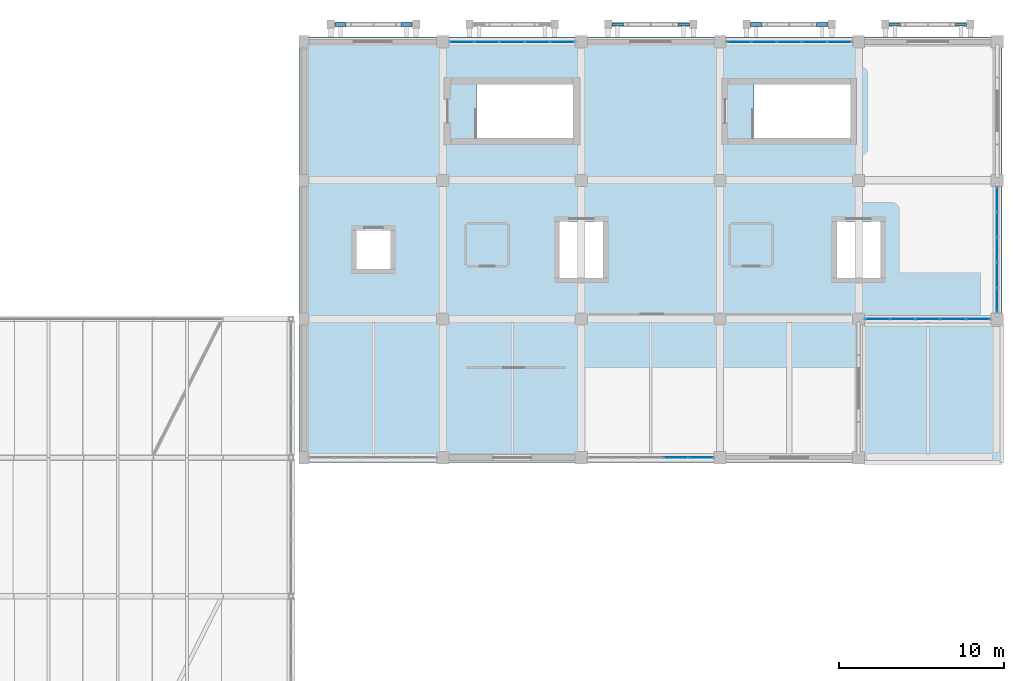
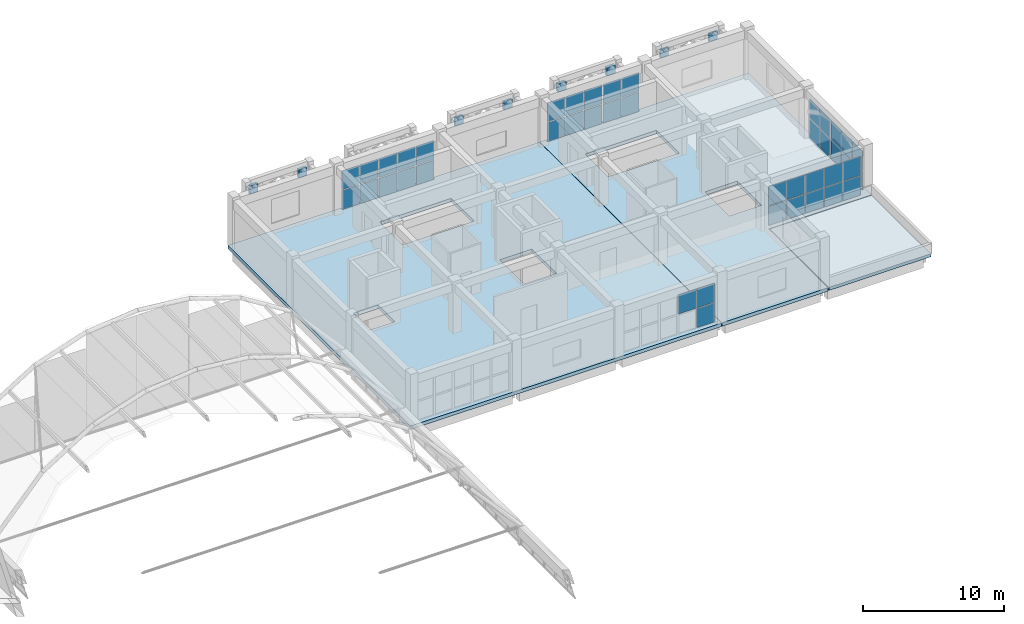
# One storey, part 95 of 114: 51 plates, 3 slabs, 5 elements without a shape of their own.
"""IFC4 building model written with IfcOpenShell, lengths in metres."""

import ifcopenshell
import ifcopenshell.guid

model = None  # the IFC model being written
_history = None  # IfcOwnerHistory: only IFC2X3 demands one
_inside = {}  # id of a spatial element -> (the spatial element, [elements in it])
_under = {}  # id of a project, library or spatial element -> (it, [spatial elements below it])
_declared = {}  # id of a project -> (the project, [libraries it declares])
_typed = {}  # id of a type object -> (the type object, [elements of that type])
_made_of = {}  # id of a material, layer set ... -> (it, [elements and type objects made of it])


def new_model(schema):
    """Start an empty IFC model of exactly this schema.

    Asked for "IFC4X3", IfcOpenShell would pick the latest addendum, in which some entities
    have other attributes; the version numbers below select the first issue.
    IFC2X3 requires an IfcOwnerHistory on every rooted entity: one is made here for all.
    """
    global model, _history
    if schema == "IFC4X3":
        model = ifcopenshell.file(schema_version=(4, 3, 0, 0))
    else:
        model = ifcopenshell.file(schema=schema)
    _inside.clear()
    _under.clear()
    _declared.clear()
    _typed.clear()
    _made_of.clear()
    _history = None
    if model.schema == "IFC2X3":
        org = make("IfcOrganization", Name="unknown")
        user = make(
            "IfcPersonAndOrganization",
            ThePerson=make("IfcPerson", FamilyName="unknown"),
            TheOrganization=org,
        )
        app = make(
            "IfcApplication",
            ApplicationDeveloper=org,
            Version="unknown",
            ApplicationFullName="unknown",
            ApplicationIdentifier="unknown",
        )
        _history = make(
            "IfcOwnerHistory",
            OwningUser=user,
            OwningApplication=app,
            ChangeAction="ADDED",
            CreationDate=0,
        )
    return model


def make(cls, **values):
    """One entity of the class cls with the attributes given. An attribute that is None is left unset."""
    return model.create_entity(
        cls, **{name: value for name, value in values.items() if value is not None}
    )


def rooted(cls, **values):
    """An entity with a GlobalId (a new one), such as an element, a storey or a relation."""
    return make(cls, GlobalId=ifcopenshell.guid.new(), OwnerHistory=_history, **values)


def si_unit(unit_type, name, prefix=None):
    """IfcSIUnit, for example si_unit("LENGTHUNIT", "METRE", prefix="MILLI")."""
    return make("IfcSIUnit", UnitType=unit_type, Prefix=prefix, Name=name)


def assignment(units):
    """IfcUnitAssignment: the units of a project."""
    return None if units is None else make("IfcUnitAssignment", Units=units)


def point(xyz):
    """IfcCartesianPoint."""
    return None if xyz is None else make("IfcCartesianPoint", Coordinates=xyz)


def direction(xyz):
    """IfcDirection."""
    return None if xyz is None else make("IfcDirection", DirectionRatios=xyz)


def frame(location, z_axis=None, x_axis=None):
    """IfcAxis2Placement3D, a coordinate frame: its origin and axes. An axis left out is left unset."""
    return make(
        "IfcAxis2Placement3D",
        Location=point(location),
        Axis=direction(z_axis),
        RefDirection=direction(x_axis),
    )


def frame_2d(location, x_axis=None):
    """IfcAxis2Placement2D, a coordinate frame in the plane: its origin and x axis."""
    return make(
        "IfcAxis2Placement2D", Location=point(location), RefDirection=direction(x_axis)
    )


def origin():
    """The frame at (0, 0, 0) with its axes left unset."""
    return frame((0.0, 0.0, 0.0))


def origin_2d():
    """The frame at (0, 0) in the plane with its x axis left unset."""
    return frame_2d((0.0, 0.0))


def place(relative_to, where):
    """IfcLocalPlacement: puts the frame where relative to a parent placement (None: the world)."""
    return make(
        "IfcLocalPlacement", PlacementRelTo=relative_to, RelativePlacement=where
    )


def context(
    kind, dimensions, precision=None, world=None, true_north=None, identifier=None
):
    """IfcGeometricRepresentationContext, for example the 3D "Model" context."""
    return make(
        "IfcGeometricRepresentationContext",
        ContextIdentifier=identifier,
        ContextType=kind,
        CoordinateSpaceDimension=dimensions,
        Precision=precision,
        WorldCoordinateSystem=world,
        TrueNorth=true_north,
    )


def subcontext(parent, identifier, kind, view, scale=None):
    """IfcGeometricRepresentationSubContext, for example "Body" below "Model"."""
    return make(
        "IfcGeometricRepresentationSubContext",
        ContextIdentifier=identifier,
        ContextType=kind,
        ParentContext=parent,
        TargetScale=scale,
        TargetView=view,
    )


def project(units=None, contexts=None):
    """IfcProject with its units and contexts."""
    return rooted(
        "IfcProject",
        Name="project",
        RepresentationContexts=contexts,
        UnitsInContext=assignment(units),
    )


def spatial(cls, under=None, at=None, **own):
    """A site, building, storey or space (cls), placed at a placement, below another one or the project."""
    s = rooted(cls, ObjectPlacement=at, **own)
    if under is not None:
        _under.setdefault(under.id(), (under, []))[1].append(s)
    return s


def polyline(points):
    """IfcPolyline through the points."""
    return make("IfcPolyline", Points=[point(p) for p in points])


def profile(cls, at=None, kind="AREA", **sizes):
    """A parametric profile (cls). Its sizes go by their IFC names, for example OverallWidth=200.0."""
    return make(cls, ProfileType=kind, Position=at, **sizes)


def rectangle(**sizes):
    """IfcRectangleProfileDef."""
    return profile("IfcRectangleProfileDef", **sizes)


def outline(outer, holes=None, kind="AREA"):
    """IfcArbitraryClosedProfileDef: a profile drawn as a closed curve; with holes, ...WithVoids."""
    if holes is None:
        return make("IfcArbitraryClosedProfileDef", ProfileType=kind, OuterCurve=outer)
    return make(
        "IfcArbitraryProfileDefWithVoids",
        ProfileType=kind,
        OuterCurve=outer,
        InnerCurves=holes,
    )


def extrude(swept, where, along, depth):
    """IfcExtrudedAreaSolid: the profile swept, set in the frame where, extruded along a direction by depth."""
    return make(
        "IfcExtrudedAreaSolid",
        SweptArea=swept,
        Position=where,
        ExtrudedDirection=direction(along),
        Depth=depth,
    )


def shape(context_of_items, identifier, shape_type, items):
    """IfcShapeRepresentation: the items that make up one representation, for example the "Body"."""
    return make(
        "IfcShapeRepresentation",
        ContextOfItems=context_of_items,
        RepresentationIdentifier=identifier,
        RepresentationType=shape_type,
        Items=items,
    )


def material(Name=None, Category=None):
    """IfcMaterial."""
    return make("IfcMaterial", Name=Name, Category=Category)


def layer(
    of_material, thickness, ventilated=None, Name=None, Category=None, Priority=None
):
    """IfcMaterialLayer: one layer of a wall or slab, of a material (None: an air gap)."""
    return make(
        "IfcMaterialLayer",
        Material=of_material,
        LayerThickness=thickness,
        IsVentilated=ventilated,
        Name=Name,
        Category=Category,
        Priority=Priority,
    )


def layer_set(layers, Name=None):
    """IfcMaterialLayerSet."""
    return make("IfcMaterialLayerSet", MaterialLayers=layers, LayerSetName=Name)


def made_of(thing, what):
    """Note that an element or type object is made of a material, layer set ...; save() writes the relation."""
    if what is not None:
        _made_of.setdefault(what.id(), (what, []))[1].append(thing)
    return thing


def type_object(cls, material=None, **own):
    """A type object (cls), such as IfcWallType, which elements share."""
    return made_of(rooted(cls, **own), material)


def element(
    cls,
    number,
    at=None,
    inside=None,
    cuts=None,
    type_object=None,
    material=None,
    context=None,
    identifier="Body",
    shape_type=None,
    held_by="IfcProductDefinitionShape",
    body=None,
    shapes=None,
    **own,
):
    """One element of the class cls, such as IfcWall. Its Tag is "e" and its number.

    at: its placement. inside: the storey or other place that contains it. cuts: it is an
    opening in that element (IfcRelVoidsElement). A single representation is given by context,
    identifier, shape_type and body (its items); several are given by shapes. held_by: the class
    of the entity that holds the representations. save() writes the other relations.
    """
    e = rooted(cls, Tag="e%d" % number, ObjectPlacement=at, **own)
    if body is not None:
        shapes = [shape(context, identifier, shape_type, body)]
    if shapes is not None:
        e.Representation = make(held_by, Representations=shapes)
    if inside is not None:
        _inside.setdefault(inside.id(), (inside, []))[1].append(e)
    if cuts is not None:
        rooted(
            "IfcRelVoidsElement", RelatingBuildingElement=cuts, RelatedOpeningElement=e
        )
    if type_object is not None:
        _typed.setdefault(type_object.id(), (type_object, []))[1].append(e)
    return made_of(e, material)


def aggregate(whole, parts):
    """IfcRelAggregates: a whole, such as a stair, and the parts it consists of."""
    return rooted("IfcRelAggregates", RelatingObject=whole, RelatedObjects=parts)


def save(model, path):
    """Write the relations noted so far, then the file.

    IfcRelAggregates (storeys below a building ...), IfcRelContainedInSpatialStructure (elements
    in a storey), IfcRelDefinesByType, IfcRelAssociatesMaterial and IfcRelDeclares: one each for
    every whole, place, type object, material and project.
    """
    for whole, parts in _under.values():
        aggregate(whole, parts)
    for where, things in _inside.values():
        rooted(
            "IfcRelContainedInSpatialStructure",
            RelatedElements=things,
            RelatingStructure=where,
        )
    for kind, things in _typed.values():
        rooted("IfcRelDefinesByType", RelatedObjects=things, RelatingType=kind)
    for what, things in _made_of.values():
        rooted("IfcRelAssociatesMaterial", RelatedObjects=things, RelatingMaterial=what)
    for by, libraries in _declared.values():
        rooted("IfcRelDeclares", RelatingContext=by, RelatedDefinitions=libraries)
    model.write(path)


model = new_model("IFC4")

# Units and contexts
model_context = context("Model", 3, precision=1e-05, world=origin(), true_north=direction((0.0, 1.0)))
body_context = subcontext(model_context, "Body", "Model", "MODEL_VIEW")
ifc_project = project(units=[si_unit("LENGTHUNIT", "METRE"), si_unit("AREAUNIT", "SQUARE_METRE"), si_unit("VOLUMEUNIT", "CUBIC_METRE"), si_unit("PLANEANGLEUNIT", "RADIAN"), si_unit("MASSUNIT", "GRAM", prefix="KILO")], contexts=[model_context])

# Site, building, storey
site_placement = place(None, origin())
site = spatial("IfcSite", under=ifc_project, at=site_placement, CompositionType="ELEMENT")
building_placement = place(site_placement, origin())
building = spatial("IfcBuilding", under=site, at=building_placement, Name="Xazarin Passage Department Store", CompositionType="ELEMENT")
storey_placement = place(building_placement, frame((0.0, 0.0, 14.39990234375)))
storey = spatial("IfcBuildingStorey", under=building, at=storey_placement, Name="L03", CompositionType="ELEMENT", Elevation=14.39990234375)

# Curtain wall, plates
ifc_material_1 = material(Name="Bronze anodised aluminium", Category="aluminium")
ifc_layer_1 = layer(ifc_material_1, 0.1650390625)
ifc_layer_set_1 = layer_set([ifc_layer_1], Name="Bronze anodised aluminium")
curtain_wall_type = type_object("IfcCurtainWallType", Name="ARC-CW-OFF1", PredefinedType="NOTDEFINED", material=ifc_layer_set_1)
curtain_wall_1_placement = place(storey_placement, origin())
curtain_wall_1 = element("IfcCurtainWall", 1, at=curtain_wall_1_placement, inside=storey, type_object=curtain_wall_type, Name="L03 V4 Curtain Wall 136", PredefinedType="NOTDEFINED")
ifc_material_2 = material(Name="Low-E laminated safety glass", Category="glass")
ifc_layer_2 = layer(ifc_material_2, 0.028076171875)
ifc_layer_set_2 = layer_set([ifc_layer_2], Name="Low-E laminated safety glass")
plate_type_1 = type_object("IfcPlateType", Name="ARC-CWP-GLZ28", PredefinedType="CURTAIN_PANEL", material=ifc_layer_set_2)
plate_1_placement = place(storey_placement, frame((124.929931640625, 84.800048828125, 1.777587890625), z_axis=(0.0, 0.0, 1.0), x_axis=(1.0, 0.0, 0.0)))
plate_1 = element("IfcPlate", 2, at=plate_1_placement, type_object=plate_type_1, Name="CW6 panel 4.2", PredefinedType="CURTAIN_PANEL", context=body_context, shape_type="SweptSolid", body=[
    extrude(rectangle(XDim=1.465087890625, YDim=0.028076171875, at=origin_2d()), origin(), (0.0, 0.0, 1.0), 1.6474609375),
])
plate_2_placement = place(storey_placement, frame((126.44384765625, 84.800048828125, 0.065185546875), z_axis=(0.0, 0.0, 1.0), x_axis=(1.0, 0.0, 0.0)))
plate_2 = element("IfcPlate", 3, at=plate_2_placement, type_object=plate_type_1, Name="CW6 panel 5.1", PredefinedType="CURTAIN_PANEL", context=body_context, shape_type="SweptSolid", body=[
    extrude(rectangle(XDim=1.4326171875, YDim=0.028076171875, at=origin_2d()), origin(), (0.0, 0.0, 1.0), 1.6474609375),
])
plate_3_placement = place(storey_placement, frame((126.44384765625, 84.800048828125, 1.777587890625), z_axis=(0.0, 0.0, 1.0), x_axis=(1.0, 0.0, 0.0)))
plate_3 = element("IfcPlate", 4, at=plate_3_placement, type_object=plate_type_1, Name="CW6 panel 5.2", PredefinedType="CURTAIN_PANEL", context=body_context, shape_type="SweptSolid", body=[
    extrude(rectangle(XDim=1.4326171875, YDim=0.028076171875, at=origin_2d()), origin(), (0.0, 0.0, 1.0), 1.6474609375),
])
aggregate(curtain_wall_1, [plate_1, plate_2, plate_3])

curtain_wall_2_placement = place(storey_placement, origin())
curtain_wall_2 = element("IfcCurtainWall", 5, at=curtain_wall_2_placement, inside=storey, type_object=curtain_wall_type, Name="L03 V4 Curtain Wall 137", PredefinedType="NOTDEFINED")
plate_4_placement = place(storey_placement, frame((137.15625, 93.199951171875, 0.065185546875), z_axis=(0.0, 0.0, 1.0), x_axis=(1.0, 0.0, 0.0)))
plate_4 = element("IfcPlate", 6, at=plate_4_placement, type_object=plate_type_1, Name="CW6 panel 1.1", PredefinedType="CURTAIN_PANEL", context=body_context, shape_type="SweptSolid", body=[
    extrude(rectangle(XDim=1.4326171875, YDim=0.028076171875, at=origin_2d()), origin(), (0.0, 0.0, 1.0), 1.6474609375),
])
plate_5_placement = place(storey_placement, frame((137.15625, 93.199951171875, 1.777587890625), z_axis=(0.0, 0.0, 1.0), x_axis=(1.0, 0.0, 0.0)))
plate_5 = element("IfcPlate", 7, at=plate_5_placement, type_object=plate_type_1, Name="CW6 panel 1.2", PredefinedType="CURTAIN_PANEL", context=body_context, shape_type="SweptSolid", body=[
    extrude(rectangle(XDim=1.4326171875, YDim=0.028076171875, at=origin_2d()), origin(), (0.0, 0.0, 1.0), 1.6474609375),
])
plate_6_placement = place(storey_placement, frame((138.669921875, 93.199951171875, 0.065185546875), z_axis=(0.0, 0.0, 1.0), x_axis=(1.0, 0.0, 0.0)))
plate_6 = element("IfcPlate", 8, at=plate_6_placement, type_object=plate_type_1, Name="CW6 panel 2.1", PredefinedType="CURTAIN_PANEL", context=body_context, shape_type="SweptSolid", body=[
    extrude(rectangle(XDim=1.465087890625, YDim=0.028076171875, at=origin_2d()), origin(), (0.0, 0.0, 1.0), 1.6474609375),
])
plate_7_placement = place(storey_placement, frame((138.669921875, 93.199951171875, 1.777587890625), z_axis=(0.0, 0.0, 1.0), x_axis=(1.0, 0.0, 0.0)))
plate_7 = element("IfcPlate", 9, at=plate_7_placement, type_object=plate_type_1, Name="CW6 panel 2.2", PredefinedType="CURTAIN_PANEL", context=body_context, shape_type="SweptSolid", body=[
    extrude(rectangle(XDim=1.465087890625, YDim=0.028076171875, at=origin_2d()), origin(), (0.0, 0.0, 1.0), 1.6474609375),
])
plate_8_placement = place(storey_placement, frame((140.199951171875, 93.199951171875, 0.065185546875), z_axis=(0.0, 0.0, 1.0), x_axis=(1.0, 0.0, 0.0)))
plate_8 = element("IfcPlate", 10, at=plate_8_placement, type_object=plate_type_1, Name="CW6 panel 3.1", PredefinedType="CURTAIN_PANEL", context=body_context, shape_type="SweptSolid", body=[
    extrude(rectangle(XDim=1.465087890625, YDim=0.028076171875, at=origin_2d()), origin(), (0.0, 0.0, 1.0), 1.6474609375),
])
plate_9_placement = place(storey_placement, frame((140.199951171875, 93.199951171875, 1.777587890625), z_axis=(0.0, 0.0, 1.0), x_axis=(1.0, 0.0, 0.0)))
plate_9 = element("IfcPlate", 11, at=plate_9_placement, type_object=plate_type_1, Name="CW6 panel 3.2", PredefinedType="CURTAIN_PANEL", context=body_context, shape_type="SweptSolid", body=[
    extrude(rectangle(XDim=1.465087890625, YDim=0.028076171875, at=origin_2d()), origin(), (0.0, 0.0, 1.0), 1.6474609375),
])
plate_10_placement = place(storey_placement, frame((141.72998046875, 93.199951171875, 0.065185546875), z_axis=(0.0, 0.0, 1.0), x_axis=(1.0, 0.0, 0.0)))
plate_10 = element("IfcPlate", 12, at=plate_10_placement, type_object=plate_type_1, Name="CW6 panel 4.1", PredefinedType="CURTAIN_PANEL", context=body_context, shape_type="SweptSolid", body=[
    extrude(rectangle(XDim=1.465087890625, YDim=0.028076171875, at=origin_2d()), origin(), (0.0, 0.0, 1.0), 1.6474609375),
])
plate_11_placement = place(storey_placement, frame((141.72998046875, 93.199951171875, 1.777587890625), z_axis=(0.0, 0.0, 1.0), x_axis=(1.0, 0.0, 0.0)))
plate_11 = element("IfcPlate", 13, at=plate_11_placement, type_object=plate_type_1, Name="CW6 panel 4.2", PredefinedType="CURTAIN_PANEL", context=body_context, shape_type="SweptSolid", body=[
    extrude(rectangle(XDim=1.465087890625, YDim=0.028076171875, at=origin_2d()), origin(), (0.0, 0.0, 1.0), 1.6474609375),
])
plate_12_placement = place(storey_placement, frame((143.24365234375, 93.199951171875, 0.065185546875), z_axis=(0.0, 0.0, 1.0), x_axis=(1.0, 0.0, 0.0)))
plate_12 = element("IfcPlate", 14, at=plate_12_placement, type_object=plate_type_1, Name="CW6 panel 5.1", PredefinedType="CURTAIN_PANEL", context=body_context, shape_type="SweptSolid", body=[
    extrude(rectangle(XDim=1.4326171875, YDim=0.028076171875, at=origin_2d()), origin(), (0.0, 0.0, 1.0), 1.6474609375),
])
plate_13_placement = place(storey_placement, frame((143.24365234375, 93.199951171875, 1.777587890625), z_axis=(0.0, 0.0, 1.0), x_axis=(1.0, 0.0, 0.0)))
plate_13 = element("IfcPlate", 15, at=plate_13_placement, type_object=plate_type_1, Name="CW6 panel 5.2", PredefinedType="CURTAIN_PANEL", context=body_context, shape_type="SweptSolid", body=[
    extrude(rectangle(XDim=1.4326171875, YDim=0.028076171875, at=origin_2d()), origin(), (0.0, 0.0, 1.0), 1.6474609375),
])
aggregate(curtain_wall_2, [plate_4, plate_5, plate_6, plate_7, plate_8, plate_9, plate_10, plate_11, plate_12, plate_13])

curtain_wall_3_placement = place(storey_placement, origin())
curtain_wall_3 = element("IfcCurtainWall", 16, at=curtain_wall_3_placement, inside=storey, type_object=curtain_wall_type, Name="L03 V4 Curtain Wall 138", PredefinedType="NOTDEFINED")
plate_14_placement = place(storey_placement, frame((111.956298828125, 110.0, 0.065185546875), z_axis=(0.0, 0.0, 1.0), x_axis=(1.0, 0.0, 0.0)))
plate_14 = element("IfcPlate", 17, at=plate_14_placement, type_object=plate_type_1, Name="CW6 panel 1.1", PredefinedType="CURTAIN_PANEL", context=body_context, shape_type="SweptSolid", body=[
    extrude(rectangle(XDim=1.4326171875, YDim=0.028076171875, at=origin_2d()), origin(), (0.0, 0.0, 1.0), 1.6474609375),
])
plate_15_placement = place(storey_placement, frame((111.956298828125, 110.0, 1.777587890625), z_axis=(0.0, 0.0, 1.0), x_axis=(1.0, 0.0, 0.0)))
plate_15 = element("IfcPlate", 18, at=plate_15_placement, type_object=plate_type_1, Name="CW6 panel 1.2", PredefinedType="CURTAIN_PANEL", context=body_context, shape_type="SweptSolid", body=[
    extrude(rectangle(XDim=1.4326171875, YDim=0.028076171875, at=origin_2d()), origin(), (0.0, 0.0, 1.0), 1.6474609375),
])
plate_16_placement = place(storey_placement, frame((113.469970703125, 110.0, 0.065185546875), z_axis=(0.0, 0.0, 1.0), x_axis=(1.0, 0.0, 0.0)))
plate_16 = element("IfcPlate", 19, at=plate_16_placement, type_object=plate_type_1, Name="CW6 panel 2.1", PredefinedType="CURTAIN_PANEL", context=body_context, shape_type="SweptSolid", body=[
    extrude(rectangle(XDim=1.465087890625, YDim=0.028076171875, at=origin_2d()), origin(), (0.0, 0.0, 1.0), 1.6474609375),
])
plate_17_placement = place(storey_placement, frame((113.469970703125, 110.0, 1.777587890625), z_axis=(0.0, 0.0, 1.0), x_axis=(1.0, 0.0, 0.0)))
plate_17 = element("IfcPlate", 20, at=plate_17_placement, type_object=plate_type_1, Name="CW6 panel 2.2", PredefinedType="CURTAIN_PANEL", context=body_context, shape_type="SweptSolid", body=[
    extrude(rectangle(XDim=1.465087890625, YDim=0.028076171875, at=origin_2d()), origin(), (0.0, 0.0, 1.0), 1.6474609375),
])
plate_18_placement = place(storey_placement, frame((115.0, 110.0, 0.065185546875), z_axis=(0.0, 0.0, 1.0), x_axis=(1.0, 0.0, 0.0)))
plate_18 = element("IfcPlate", 21, at=plate_18_placement, type_object=plate_type_1, Name="CW6 panel 3.1", PredefinedType="CURTAIN_PANEL", context=body_context, shape_type="SweptSolid", body=[
    extrude(rectangle(XDim=1.465087890625, YDim=0.028076171875, at=origin_2d()), origin(), (0.0, 0.0, 1.0), 1.6474609375),
])
plate_19_placement = place(storey_placement, frame((115.0, 110.0, 1.777587890625), z_axis=(0.0, 0.0, 1.0), x_axis=(1.0, 0.0, 0.0)))
plate_19 = element("IfcPlate", 22, at=plate_19_placement, type_object=plate_type_1, Name="CW6 panel 3.2", PredefinedType="CURTAIN_PANEL", context=body_context, shape_type="SweptSolid", body=[
    extrude(rectangle(XDim=1.465087890625, YDim=0.028076171875, at=origin_2d()), origin(), (0.0, 0.0, 1.0), 1.6474609375),
])
plate_20_placement = place(storey_placement, frame((116.530029296875, 110.0, 0.065185546875), z_axis=(0.0, 0.0, 1.0), x_axis=(1.0, 0.0, 0.0)))
plate_20 = element("IfcPlate", 23, at=plate_20_placement, type_object=plate_type_1, Name="CW6 panel 4.1", PredefinedType="CURTAIN_PANEL", context=body_context, shape_type="SweptSolid", body=[
    extrude(rectangle(XDim=1.465087890625, YDim=0.028076171875, at=origin_2d()), origin(), (0.0, 0.0, 1.0), 1.6474609375),
])
plate_21_placement = place(storey_placement, frame((116.530029296875, 110.0, 1.777587890625), z_axis=(0.0, 0.0, 1.0), x_axis=(1.0, 0.0, 0.0)))
plate_21 = element("IfcPlate", 24, at=plate_21_placement, type_object=plate_type_1, Name="CW6 panel 4.2", PredefinedType="CURTAIN_PANEL", context=body_context, shape_type="SweptSolid", body=[
    extrude(rectangle(XDim=1.465087890625, YDim=0.028076171875, at=origin_2d()), origin(), (0.0, 0.0, 1.0), 1.6474609375),
])
plate_22_placement = place(storey_placement, frame((118.043701171875, 110.0, 0.065185546875), z_axis=(0.0, 0.0, 1.0), x_axis=(1.0, 0.0, 0.0)))
plate_22 = element("IfcPlate", 25, at=plate_22_placement, type_object=plate_type_1, Name="CW6 panel 5.1", PredefinedType="CURTAIN_PANEL", context=body_context, shape_type="SweptSolid", body=[
    extrude(rectangle(XDim=1.4326171875, YDim=0.028076171875, at=origin_2d()), origin(), (0.0, 0.0, 1.0), 1.6474609375),
])
plate_23_placement = place(storey_placement, frame((118.043701171875, 110.0, 1.777587890625), z_axis=(0.0, 0.0, 1.0), x_axis=(1.0, 0.0, 0.0)))
plate_23 = element("IfcPlate", 26, at=plate_23_placement, type_object=plate_type_1, Name="CW6 panel 5.2", PredefinedType="CURTAIN_PANEL", context=body_context, shape_type="SweptSolid", body=[
    extrude(rectangle(XDim=1.4326171875, YDim=0.028076171875, at=origin_2d()), origin(), (0.0, 0.0, 1.0), 1.6474609375),
])
aggregate(curtain_wall_3, [plate_14, plate_15, plate_16, plate_17, plate_18, plate_19, plate_20, plate_21, plate_22, plate_23])

curtain_wall_4_placement = place(storey_placement, origin())
curtain_wall_4 = element("IfcCurtainWall", 27, at=curtain_wall_4_placement, inside=storey, type_object=curtain_wall_type, Name="L03 V4 Curtain Wall 139", PredefinedType="NOTDEFINED")
plate_24_placement = place(storey_placement, frame((128.75634765625, 110.0, 0.065185546875), z_axis=(0.0, 0.0, 1.0), x_axis=(1.0, 0.0, 0.0)))
plate_24 = element("IfcPlate", 28, at=plate_24_placement, type_object=plate_type_1, Name="CW6 panel 1.1", PredefinedType="CURTAIN_PANEL", context=body_context, shape_type="SweptSolid", body=[
    extrude(rectangle(XDim=1.4326171875, YDim=0.028076171875, at=origin_2d()), origin(), (0.0, 0.0, 1.0), 1.6474609375),
])
plate_25_placement = place(storey_placement, frame((128.75634765625, 110.0, 1.777587890625), z_axis=(0.0, 0.0, 1.0), x_axis=(1.0, 0.0, 0.0)))
plate_25 = element("IfcPlate", 29, at=plate_25_placement, type_object=plate_type_1, Name="CW6 panel 1.2", PredefinedType="CURTAIN_PANEL", context=body_context, shape_type="SweptSolid", body=[
    extrude(rectangle(XDim=1.4326171875, YDim=0.028076171875, at=origin_2d()), origin(), (0.0, 0.0, 1.0), 1.6474609375),
])
plate_26_placement = place(storey_placement, frame((130.27001953125, 110.0, 0.065185546875), z_axis=(0.0, 0.0, 1.0), x_axis=(1.0, 0.0, 0.0)))
plate_26 = element("IfcPlate", 30, at=plate_26_placement, type_object=plate_type_1, Name="CW6 panel 2.1", PredefinedType="CURTAIN_PANEL", context=body_context, shape_type="SweptSolid", body=[
    extrude(rectangle(XDim=1.465087890625, YDim=0.028076171875, at=origin_2d()), origin(), (0.0, 0.0, 1.0), 1.6474609375),
])
plate_27_placement = place(storey_placement, frame((130.27001953125, 110.0, 1.777587890625), z_axis=(0.0, 0.0, 1.0), x_axis=(1.0, 0.0, 0.0)))
plate_27 = element("IfcPlate", 31, at=plate_27_placement, type_object=plate_type_1, Name="CW6 panel 2.2", PredefinedType="CURTAIN_PANEL", context=body_context, shape_type="SweptSolid", body=[
    extrude(rectangle(XDim=1.465087890625, YDim=0.028076171875, at=origin_2d()), origin(), (0.0, 0.0, 1.0), 1.6474609375),
])
plate_28_placement = place(storey_placement, frame((131.800048828125, 110.0, 0.065185546875), z_axis=(0.0, 0.0, 1.0), x_axis=(1.0, 0.0, 0.0)))
plate_28 = element("IfcPlate", 32, at=plate_28_placement, type_object=plate_type_1, Name="CW6 panel 3.1", PredefinedType="CURTAIN_PANEL", context=body_context, shape_type="SweptSolid", body=[
    extrude(rectangle(XDim=1.465087890625, YDim=0.028076171875, at=origin_2d()), origin(), (0.0, 0.0, 1.0), 1.6474609375),
])
plate_29_placement = place(storey_placement, frame((131.800048828125, 110.0, 1.777587890625), z_axis=(0.0, 0.0, 1.0), x_axis=(1.0, 0.0, 0.0)))
plate_29 = element("IfcPlate", 33, at=plate_29_placement, type_object=plate_type_1, Name="CW6 panel 3.2", PredefinedType="CURTAIN_PANEL", context=body_context, shape_type="SweptSolid", body=[
    extrude(rectangle(XDim=1.465087890625, YDim=0.028076171875, at=origin_2d()), origin(), (0.0, 0.0, 1.0), 1.6474609375),
])
plate_30_placement = place(storey_placement, frame((133.330078125, 110.0, 0.065185546875), z_axis=(0.0, 0.0, 1.0), x_axis=(1.0, 0.0, 0.0)))
plate_30 = element("IfcPlate", 34, at=plate_30_placement, type_object=plate_type_1, Name="CW6 panel 4.1", PredefinedType="CURTAIN_PANEL", context=body_context, shape_type="SweptSolid", body=[
    extrude(rectangle(XDim=1.465087890625, YDim=0.028076171875, at=origin_2d()), origin(), (0.0, 0.0, 1.0), 1.6474609375),
])
plate_31_placement = place(storey_placement, frame((133.330078125, 110.0, 1.777587890625), z_axis=(0.0, 0.0, 1.0), x_axis=(1.0, 0.0, 0.0)))
plate_31 = element("IfcPlate", 35, at=plate_31_placement, type_object=plate_type_1, Name="CW6 panel 4.2", PredefinedType="CURTAIN_PANEL", context=body_context, shape_type="SweptSolid", body=[
    extrude(rectangle(XDim=1.465087890625, YDim=0.028076171875, at=origin_2d()), origin(), (0.0, 0.0, 1.0), 1.6474609375),
])
plate_32_placement = place(storey_placement, frame((134.84375, 110.0, 0.065185546875), z_axis=(0.0, 0.0, 1.0), x_axis=(1.0, 0.0, 0.0)))
plate_32 = element("IfcPlate", 36, at=plate_32_placement, type_object=plate_type_1, Name="CW6 panel 5.1", PredefinedType="CURTAIN_PANEL", context=body_context, shape_type="SweptSolid", body=[
    extrude(rectangle(XDim=1.4326171875, YDim=0.028076171875, at=origin_2d()), origin(), (0.0, 0.0, 1.0), 1.6474609375),
])
plate_33_placement = place(storey_placement, frame((134.84375, 110.0, 1.777587890625), z_axis=(0.0, 0.0, 1.0), x_axis=(1.0, 0.0, 0.0)))
plate_33 = element("IfcPlate", 37, at=plate_33_placement, type_object=plate_type_1, Name="CW6 panel 5.2", PredefinedType="CURTAIN_PANEL", context=body_context, shape_type="SweptSolid", body=[
    extrude(rectangle(XDim=1.4326171875, YDim=0.028076171875, at=origin_2d()), origin(), (0.0, 0.0, 1.0), 1.6474609375),
])
aggregate(curtain_wall_4, [plate_24, plate_25, plate_26, plate_27, plate_28, plate_29, plate_30, plate_31, plate_32, plate_33])

curtain_wall_5_placement = place(storey_placement, origin())
curtain_wall_5 = element("IfcCurtainWall", 38, at=curtain_wall_5_placement, inside=storey, type_object=curtain_wall_type, Name="L03 V4 Curtain Wall 140", PredefinedType="NOTDEFINED")
plate_34_placement = place(storey_placement, frame((144.39990234375, 94.356201171875, 0.065185546875), z_axis=(0.0, 0.0, 1.0), x_axis=(0.0, 1.0, 0.0)))
plate_34 = element("IfcPlate", 39, at=plate_34_placement, type_object=plate_type_1, Name="CW6 panel 1.1", PredefinedType="CURTAIN_PANEL", context=body_context, shape_type="SweptSolid", body=[
    extrude(rectangle(XDim=1.4326171875, YDim=0.028076171875, at=origin_2d()), origin(), (0.0, 0.0, 1.0), 1.6474609375),
])
plate_35_placement = place(storey_placement, frame((144.39990234375, 94.356201171875, 1.777587890625), z_axis=(0.0, 0.0, 1.0), x_axis=(0.0, 1.0, 0.0)))
plate_35 = element("IfcPlate", 40, at=plate_35_placement, type_object=plate_type_1, Name="CW6 panel 1.2", PredefinedType="CURTAIN_PANEL", context=body_context, shape_type="SweptSolid", body=[
    extrude(rectangle(XDim=1.4326171875, YDim=0.028076171875, at=origin_2d()), origin(), (0.0, 0.0, 1.0), 1.6474609375),
])
plate_36_placement = place(storey_placement, frame((144.39990234375, 95.8701171875, 0.065185546875), z_axis=(0.0, 0.0, 1.0), x_axis=(0.0, 1.0, 0.0)))
plate_36 = element("IfcPlate", 41, at=plate_36_placement, type_object=plate_type_1, Name="CW6 panel 2.1", PredefinedType="CURTAIN_PANEL", context=body_context, shape_type="SweptSolid", body=[
    extrude(rectangle(XDim=1.465087890625, YDim=0.028076171875, at=origin_2d()), origin(), (0.0, 0.0, 1.0), 1.6474609375),
])
plate_37_placement = place(storey_placement, frame((144.39990234375, 95.8701171875, 1.777587890625), z_axis=(0.0, 0.0, 1.0), x_axis=(0.0, 1.0, 0.0)))
plate_37 = element("IfcPlate", 42, at=plate_37_placement, type_object=plate_type_1, Name="CW6 panel 2.2", PredefinedType="CURTAIN_PANEL", context=body_context, shape_type="SweptSolid", body=[
    extrude(rectangle(XDim=1.465087890625, YDim=0.028076171875, at=origin_2d()), origin(), (0.0, 0.0, 1.0), 1.6474609375),
])
plate_38_placement = place(storey_placement, frame((144.39990234375, 97.39990234375, 0.065185546875), z_axis=(0.0, 0.0, 1.0), x_axis=(0.0, 1.0, 0.0)))
plate_38 = element("IfcPlate", 43, at=plate_38_placement, type_object=plate_type_1, Name="CW6 panel 3.1", PredefinedType="CURTAIN_PANEL", context=body_context, shape_type="SweptSolid", body=[
    extrude(rectangle(XDim=1.465087890625, YDim=0.028076171875, at=origin_2d()), origin(), (0.0, 0.0, 1.0), 1.6474609375),
])
plate_39_placement = place(storey_placement, frame((144.39990234375, 97.39990234375, 1.777587890625), z_axis=(0.0, 0.0, 1.0), x_axis=(0.0, 1.0, 0.0)))
plate_39 = element("IfcPlate", 44, at=plate_39_placement, type_object=plate_type_1, Name="CW6 panel 3.2", PredefinedType="CURTAIN_PANEL", context=body_context, shape_type="SweptSolid", body=[
    extrude(rectangle(XDim=1.465087890625, YDim=0.028076171875, at=origin_2d()), origin(), (0.0, 0.0, 1.0), 1.6474609375),
])
plate_40_placement = place(storey_placement, frame((144.39990234375, 98.929931640625, 0.065185546875), z_axis=(0.0, 0.0, 1.0), x_axis=(0.0, 1.0, 0.0)))
plate_40 = element("IfcPlate", 45, at=plate_40_placement, type_object=plate_type_1, Name="CW6 panel 4.1", PredefinedType="CURTAIN_PANEL", context=body_context, shape_type="SweptSolid", body=[
    extrude(rectangle(XDim=1.465087890625, YDim=0.028076171875, at=origin_2d()), origin(), (0.0, 0.0, 1.0), 1.6474609375),
])
plate_41_placement = place(storey_placement, frame((144.39990234375, 98.929931640625, 1.777587890625), z_axis=(0.0, 0.0, 1.0), x_axis=(0.0, 1.0, 0.0)))
plate_41 = element("IfcPlate", 46, at=plate_41_placement, type_object=plate_type_1, Name="CW6 panel 4.2", PredefinedType="CURTAIN_PANEL", context=body_context, shape_type="SweptSolid", body=[
    extrude(rectangle(XDim=1.465087890625, YDim=0.028076171875, at=origin_2d()), origin(), (0.0, 0.0, 1.0), 1.6474609375),
])
plate_42_placement = place(storey_placement, frame((144.39990234375, 100.44384765625, 0.065185546875), z_axis=(0.0, 0.0, 1.0), x_axis=(0.0, 1.0, 0.0)))
plate_42 = element("IfcPlate", 47, at=plate_42_placement, type_object=plate_type_1, Name="CW6 panel 5.1", PredefinedType="CURTAIN_PANEL", context=body_context, shape_type="SweptSolid", body=[
    extrude(rectangle(XDim=1.4326171875, YDim=0.028076171875, at=origin_2d()), origin(), (0.0, 0.0, 1.0), 1.6474609375),
])
plate_43_placement = place(storey_placement, frame((144.39990234375, 100.44384765625, 1.777587890625), z_axis=(0.0, 0.0, 1.0), x_axis=(0.0, 1.0, 0.0)))
plate_43 = element("IfcPlate", 48, at=plate_43_placement, type_object=plate_type_1, Name="CW6 panel 5.2", PredefinedType="CURTAIN_PANEL", context=body_context, shape_type="SweptSolid", body=[
    extrude(rectangle(XDim=1.4326171875, YDim=0.028076171875, at=origin_2d()), origin(), (0.0, 0.0, 1.0), 1.6474609375),
])
aggregate(curtain_wall_5, [plate_34, plate_35, plate_36, plate_37, plate_38, plate_39, plate_40, plate_41, plate_42, plate_43])

# Plates
ifc_material_3 = material(Name="Precast concrete C40/50", Category="concrete")
ifc_layer_3 = layer(ifc_material_3, 0.139892578125)
ifc_layer_set_3 = layer_set([ifc_layer_3], Name="Precast concrete C40/50")
plate_type_2 = type_object("IfcPlateType", Name="ARC-PLT-SCR-07", PredefinedType="USERDEFINED", material=ifc_layer_set_3)
for number, where, z_axis, x_axis, name in (
    (49, (138.199951171875, 111.050048828125, 3.26025390625), (0.0, 0.0, 1.0), (1.0, 0.0, 0.0), "L03 V4 Arch Spandrel Tympanum 0327"),
    (50, (142.199951171875, 111.050048828125, 3.26025390625), (0.0, 0.0, 1.0), (1.0, 0.0, 0.0), "L03 V4 Arch Spandrel Tympanum 0328"),
):
    element("IfcPlate", number, at=place(storey_placement, frame(where, z_axis=z_axis, x_axis=x_axis)), inside=storey, type_object=plate_type_2, Name=name, ObjectType="SCREEN PANEL", PredefinedType="USERDEFINED", context=body_context, shape_type="SweptSolid", body=[
        extrude(rectangle(XDim=0.679931640625, YDim=0.139892578125, at=origin_2d()), origin(), (0.0, 0.0, 1.0), 0.719970703125),
    ])
ifc_layer_4 = layer(ifc_material_3, 0.179931640625)
ifc_layer_set_4 = layer_set([ifc_layer_4], Name="Precast concrete C40/50")
plate_type_3 = type_object("IfcPlateType", Name="ARC-PLT-SCR-11", PredefinedType="USERDEFINED", material=ifc_layer_set_4)
for number, where, z_axis, x_axis, name in (
    (51, (121.39990234375, 111.050048828125, 3.26025390625), (0.0, 0.0, 1.0), (1.0, 0.0, 0.0), "L03 V4 Arch Spandrel Tympanum 0311"),
    (52, (125.39990234375, 111.050048828125, 3.26025390625), (0.0, 0.0, 1.0), (1.0, 0.0, 0.0), "L03 V4 Arch Spandrel Tympanum 0312"),
):
    element("IfcPlate", number, at=place(storey_placement, frame(where, z_axis=z_axis, x_axis=x_axis)), inside=storey, type_object=plate_type_3, Name=name, ObjectType="SCREEN PANEL", PredefinedType="USERDEFINED", context=body_context, shape_type="SweptSolid", body=[
        extrude(rectangle(XDim=0.679931640625, YDim=0.179931640625, at=origin_2d()), origin(), (0.0, 0.0, 1.0), 0.719970703125),
    ])
ifc_layer_5 = layer(ifc_material_3, 0.219970703125)
ifc_layer_set_5 = layer_set([ifc_layer_5], Name="Precast concrete C40/50")
plate_type_4 = type_object("IfcPlateType", Name="ARC-PLT-SCR-15", PredefinedType="USERDEFINED", material=ifc_layer_set_5)
for number, where, z_axis, x_axis, name in (
    (53, (104.60009765625, 111.050048828125, 3.26025390625), (0.0, 0.0, 1.0), (1.0, 0.0, 0.0), "L03 V4 Arch Spandrel Tympanum 0295"),
    (54, (108.60009765625, 111.050048828125, 3.26025390625), (0.0, 0.0, 1.0), (1.0, 0.0, 0.0), "L03 V4 Arch Spandrel Tympanum 0296"),
):
    element("IfcPlate", number, at=place(storey_placement, frame(where, z_axis=z_axis, x_axis=x_axis)), inside=storey, type_object=plate_type_4, Name=name, ObjectType="SCREEN PANEL", PredefinedType="USERDEFINED", context=body_context, shape_type="SweptSolid", body=[
        extrude(rectangle(XDim=0.679931640625, YDim=0.219970703125, at=origin_2d()), origin(), (0.0, 0.0, 1.0), 0.719970703125),
    ])
ifc_layer_6 = layer(ifc_material_3, 0.260009765625)
ifc_layer_set_6 = layer_set([ifc_layer_6], Name="Precast concrete C40/50")
plate_type_5 = type_object("IfcPlateType", Name="ARC-PLT-SCR-19", PredefinedType="USERDEFINED", material=ifc_layer_set_6)
for number, where, z_axis, x_axis, name in (
    (55, (129.800048828125, 111.050048828125, 3.26025390625), (0.0, 0.0, 1.0), (1.0, 0.0, 0.0), "L03 V4 Arch Spandrel Tympanum 0319"),
    (56, (133.800048828125, 111.050048828125, 3.26025390625), (0.0, 0.0, 1.0), (1.0, 0.0, 0.0), "L03 V4 Arch Spandrel Tympanum 0320"),
):
    element("IfcPlate", number, at=place(storey_placement, frame(where, z_axis=z_axis, x_axis=x_axis)), inside=storey, type_object=plate_type_5, Name=name, ObjectType="SCREEN PANEL", PredefinedType="USERDEFINED", context=body_context, shape_type="SweptSolid", body=[
        extrude(rectangle(XDim=0.679931640625, YDim=0.260009765625, at=origin_2d()), origin(), (0.0, 0.0, 1.0), 0.719970703125),
    ])

# Slabs
ifc_material_4 = material(Name="Concrete C35/45", Category="concrete")
ifc_layer_7 = layer(ifc_material_4, 0.300048828125)
ifc_layer_set_7 = layer_set([ifc_layer_7], Name="Concrete C35/45")
slab_type_1 = type_object("IfcSlabType", Name="STR-SLB-FLR300", PredefinedType="FLOOR", material=ifc_layer_set_7)
slab_1_placement = place(storey_placement, frame((0.0, 0.0, -0.2998046875)))
element("IfcSlab", 57, at=slab_1_placement, inside=storey, type_object=slab_type_1, Name="L03 V4 Suspended Floor Slab Bay 1", PredefinedType="FLOOR", context=body_context, shape_type="SweptSolid", body=[
    extrude(outline(polyline([(102.10009765625, 110.300048828125), (102.10009765625, 84.5), (127.590087890625, 84.5), (127.590087890625, 110.300048828125), (102.10009765625, 110.300048828125)]), holes=[polyline([(117.8798828125, 95.679931640625), (117.8798828125, 99.1201171875), (120.52001953125, 99.1201171875), (120.52001953125, 95.679931640625), (117.8798828125, 95.679931640625)]), polyline([(118.699951171875, 107.419921875), (118.699951171875, 104.179931640625), (112.85205078125, 104.179931640625), (112.85205078125, 107.419921875), (118.699951171875, 107.419921875)]), polyline([(105.580078125, 96.22998046875), (105.580078125, 98.570068359375), (107.6201171875, 98.570068359375), (107.6201171875, 96.22998046875), (105.580078125, 96.22998046875)])]), origin(), (0.0, 0.0, 1.0), 0.2998046875),
])
slab_2_placement = place(storey_placement, frame((0.0, 0.0, -0.2998046875)))
element("IfcSlab", 58, at=slab_2_placement, inside=storey, type_object=slab_type_1, Name="L03 V4 Suspended Floor Slab Bay 2", PredefinedType="FLOOR", context=body_context, shape_type="SweptSolid", body=[
    extrude(outline(polyline([(127.610107421875, 110.300048828125), (127.610107421875, 84.5), (136.300048828125, 84.5), (136.300048828125, 92.89990234375), (144.699951171875, 92.89990234375), (144.699951171875, 110.300048828125), (127.610107421875, 110.300048828125)]), holes=[polyline([(134.679931640625, 95.679931640625), (134.679931640625, 99.1201171875), (137.320068359375, 99.1201171875), (137.320068359375, 95.679931640625), (134.679931640625, 95.679931640625)]), polyline([(135.5, 107.419921875), (135.5, 104.179931640625), (129.652099609375, 104.179931640625), (129.652099609375, 107.419921875), (135.5, 107.419921875)])]), origin(), (0.0, 0.0, 1.0), 0.2998046875),
])
ifc_layer_8 = layer(ifc_material_4, 0.260009765625)
ifc_layer_set_8 = layer_set([ifc_layer_8], Name="Concrete C35/45")
slab_type_2 = type_object("IfcSlabType", Name="STR-SLB-RF260", PredefinedType="ROOF", material=ifc_layer_set_8)
slab_3_placement = place(storey_placement, frame((0.0, 0.0, -0.260009765625)))
element("IfcSlab", 59, at=slab_3_placement, inside=storey, type_object=slab_type_2, Name="L03 V4 Setback Roof Slab 1", PredefinedType="ROOF", context=body_context, shape_type="SweptSolid", body=[
    extrude(outline(polyline([(144.699951171875, 84.5), (144.699951171875, 92.85009765625), (136.35009765625, 92.85009765625), (136.35009765625, 84.5), (144.699951171875, 84.5)])), origin(), (0.0, 0.0, 1.0), 0.260009765625),
])

save(model, "model.ifc")
